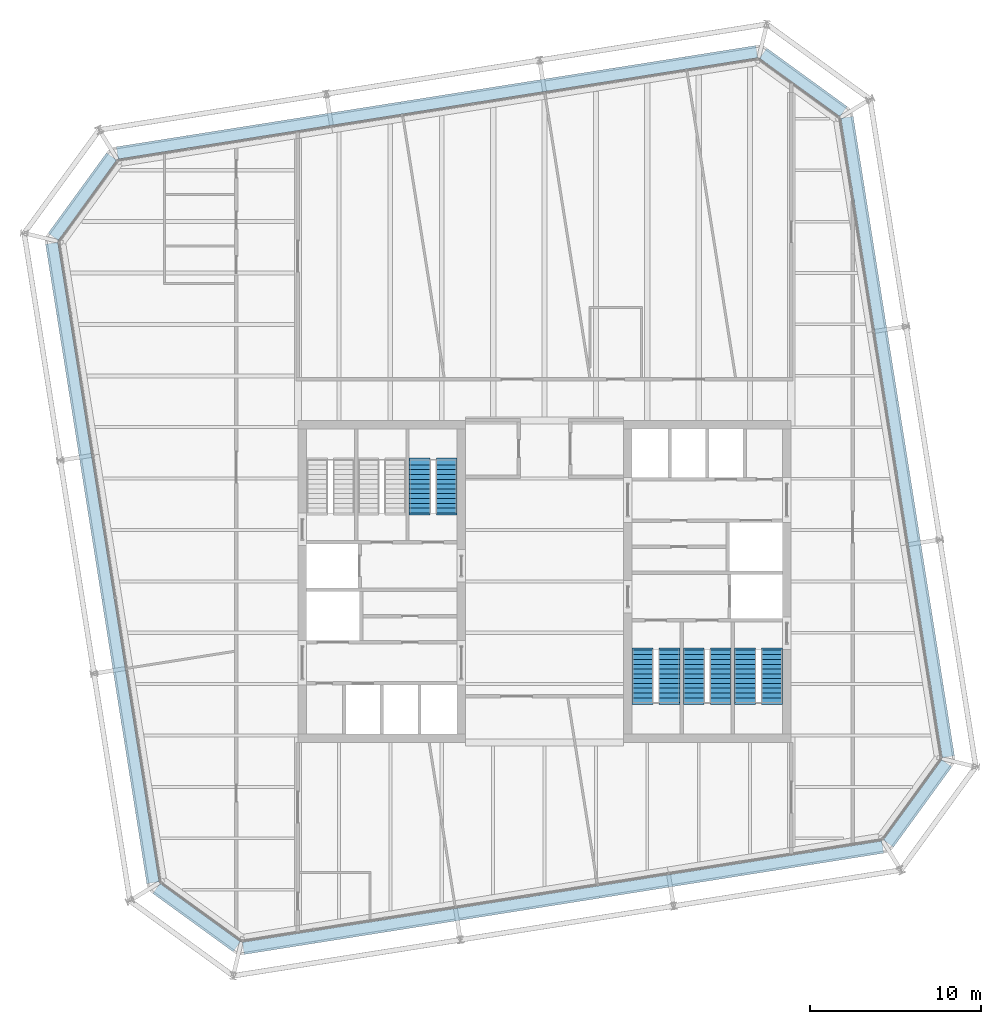
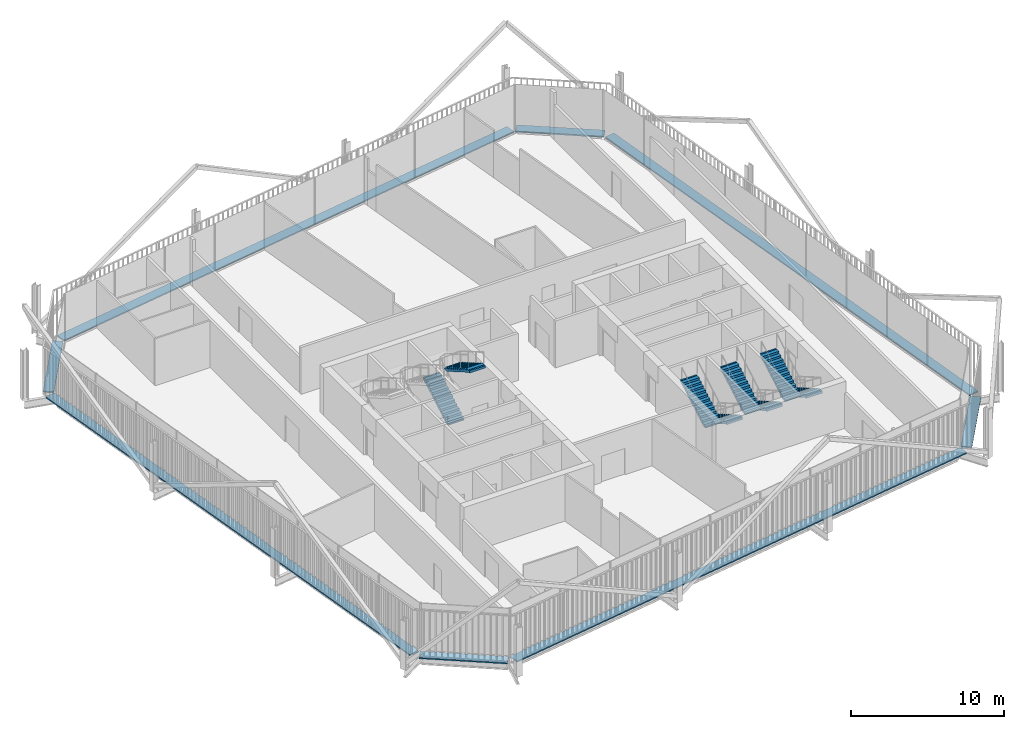
# One storey, part 20 of 21: 8 discrete accessories, 8 stair flights, 4 elements without a shape of their own.
"""IFC4 building model written with IfcOpenShell, lengths in metres."""

from ifc_helpers import new_model, si_unit, direction, frame, origin, origin_2d, place, context, subcontext, project, spatial, polyline, rectangle, outline, extrude, material, type_object, element, aggregate, save


model = new_model("IFC4")

# Units and contexts
model_context = context("Model", 3, precision=1e-05, world=origin(), true_north=direction((0.0, 1.0)))
body_context = subcontext(model_context, "Body", "Model", "MODEL_VIEW")
ifc_project = project(units=[si_unit("LENGTHUNIT", "METRE"), si_unit("AREAUNIT", "SQUARE_METRE"), si_unit("VOLUMEUNIT", "CUBIC_METRE"), si_unit("PLANEANGLEUNIT", "RADIAN"), si_unit("MASSUNIT", "GRAM", prefix="KILO")], contexts=[model_context])

# Site, building, storey
site_placement = place(None, origin())
site = spatial("IfcSite", under=ifc_project, at=site_placement, CompositionType="ELEMENT")
building_placement = place(site_placement, origin())
building = spatial("IfcBuilding", under=site, at=building_placement, Name="Millrace Tower", CompositionType="ELEMENT")
storey_placement = place(building_placement, frame((0.0, 0.0, 255.199951171875)))
storey = spatial("IfcBuildingStorey", under=building, at=storey_placement, Name="L58", CompositionType="ELEMENT", Elevation=255.199951171875)

# Stair, stair flights
ifc_material_1 = material(Name="Concrete C35", Category="concrete")
stair_type = type_object("IfcStairType", Name="Exit stair", PredefinedType="HALF_TURN_STAIR", material=ifc_material_1)
placement = place(storey_placement, origin())
stair_1 = element("IfcStair", 1, at=placement, inside=storey, type_object=stair_type, Name="Stair 3 W L58", PredefinedType="HALF_TURN_STAIR")
ifc_material_2 = material(Name="Concrete C35", Category="concrete")
stair_flight_type = type_object("IfcStairFlightType", Name="Exit stair flight", PredefinedType="STRAIGHT", material=ifc_material_2)
stair_flight_1_placement = place(storey_placement, frame((-7.2900390625, 4.0, 0.0), z_axis=(0.0, 0.0, 1.0), x_axis=(0.0, 1.0, 0.0)))
stair_flight_1 = element("IfcStairFlight", 2, at=stair_flight_1_placement, type_object=stair_flight_type, Name="ST12 flight 1", NumberOfRisers=12, NumberOfTreads=11, PredefinedType="STRAIGHT", RiserHeight=0.1625, TreadLength=0.28, context=body_context, shape_type="SweptSolid", body=[
    extrude(outline(polyline([(-0.1201171875, -0.0400390625), (-0.1201171875, 0.0), (0.0, 0.0), (0.0, 0.16259765625), (0.280029296875, 0.16259765625), (0.280029296875, 0.324951171875), (0.56005859375, 0.324951171875), (0.56005859375, 0.487548828125), (0.840087890625, 0.487548828125), (0.840087890625, 0.64990234375), (1.1201171875, 0.64990234375), (1.1201171875, 0.8125), (1.39990234375, 0.8125), (1.39990234375, 0.97509765625), (1.679931640625, 0.97509765625), (1.679931640625, 1.137451171875), (1.9599609375, 1.137451171875), (1.9599609375, 1.300048828125), (2.239990234375, 1.300048828125), (2.239990234375, 1.46240234375), (2.52001953125, 1.46240234375), (2.52001953125, 1.625), (2.800048828125, 1.625), (2.800048828125, 1.78759765625), (3.080078125, 1.78759765625), (3.080078125, 1.8076171875), (3.199951171875, 1.8076171875), (3.199951171875, 1.6142578125), (3.080078125, 1.6142578125), (0.298583984375, 0.0), (0.298583984375, -0.0400390625), (-0.1201171875, -0.0400390625)])), frame((0.0, 0.60986328125, 0.0), z_axis=(0.0, -1.0, 0.0), x_axis=(1.0, 0.0, 0.0)), (0.0, 0.0, 1.0), 1.219970703125),
])
stair_flight_2_placement = place(storey_placement, frame((-5.7099609375, 7.080078125, 1.949951171875), z_axis=(0.0, 0.0, 1.0), x_axis=(0.0, -1.0, 0.0)))
stair_flight_2 = element("IfcStairFlight", 3, at=stair_flight_2_placement, type_object=stair_flight_type, Name="ST12 flight 2", NumberOfRisers=12, NumberOfTreads=11, PredefinedType="STRAIGHT", RiserHeight=0.1625, TreadLength=0.28, context=body_context, shape_type="SweptSolid", body=[
    extrude(outline(polyline([(-0.1201171875, -0.0400390625), (-0.1201171875, 0.0), (0.0, 0.0), (0.0, 0.16259765625), (0.280029296875, 0.16259765625), (0.280029296875, 0.324951171875), (0.56005859375, 0.324951171875), (0.56005859375, 0.487548828125), (0.840087890625, 0.487548828125), (0.840087890625, 0.64990234375), (1.1201171875, 0.64990234375), (1.1201171875, 0.8125), (1.39990234375, 0.8125), (1.39990234375, 0.97509765625), (1.679931640625, 0.97509765625), (1.679931640625, 1.137451171875), (1.9599609375, 1.137451171875), (1.9599609375, 1.300048828125), (2.239990234375, 1.300048828125), (2.239990234375, 1.46240234375), (2.52001953125, 1.46240234375), (2.52001953125, 1.625), (2.800048828125, 1.625), (2.800048828125, 1.78759765625), (3.080078125, 1.78759765625), (3.080078125, 1.8076171875), (3.199951171875, 1.8076171875), (3.199951171875, 1.6142578125), (3.080078125, 1.6142578125), (0.298583984375, 0.0), (0.298583984375, -0.0400390625), (-0.1201171875, -0.0400390625)])), frame((0.0, 0.60986328125, 0.0), z_axis=(0.0, -1.0, 0.0), x_axis=(1.0, 0.0, 0.0)), (0.0, 0.0, 1.0), 1.219970703125),
])
aggregate(stair_1, [stair_flight_1, stair_flight_2])

stair_2 = element("IfcStair", 4, at=placement, inside=storey, type_object=stair_type, Name="Stair 1 E L58", PredefinedType="HALF_TURN_STAIR")
stair_flight_3_placement = place(storey_placement, frame((13.2900390625, -4.0, 0.0), z_axis=(0.0, 0.0, 1.0), x_axis=(0.0, -1.0, 0.0)))
stair_flight_3 = element("IfcStairFlight", 5, at=stair_flight_3_placement, type_object=stair_flight_type, Name="ST12 flight 1", NumberOfRisers=12, NumberOfTreads=11, PredefinedType="STRAIGHT", RiserHeight=0.1625, TreadLength=0.28, context=body_context, shape_type="SweptSolid", body=[
    extrude(outline(polyline([(-0.1201171875, -0.0400390625), (-0.1201171875, 0.0), (0.0, 0.0), (0.0, 0.16259765625), (0.280029296875, 0.16259765625), (0.280029296875, 0.324951171875), (0.56005859375, 0.324951171875), (0.56005859375, 0.487548828125), (0.840087890625, 0.487548828125), (0.840087890625, 0.64990234375), (1.1201171875, 0.64990234375), (1.1201171875, 0.8125), (1.39990234375, 0.8125), (1.39990234375, 0.97509765625), (1.679931640625, 0.97509765625), (1.679931640625, 1.137451171875), (1.9599609375, 1.137451171875), (1.9599609375, 1.300048828125), (2.239990234375, 1.300048828125), (2.239990234375, 1.46240234375), (2.52001953125, 1.46240234375), (2.52001953125, 1.625), (2.800048828125, 1.625), (2.800048828125, 1.78759765625), (3.080078125, 1.78759765625), (3.080078125, 1.8076171875), (3.199951171875, 1.8076171875), (3.199951171875, 1.6142578125), (3.080078125, 1.6142578125), (0.298583984375, 0.0), (0.298583984375, -0.0400390625), (-0.1201171875, -0.0400390625)])), frame((0.0, 0.60986328125, 0.0), z_axis=(0.0, -1.0, 0.0), x_axis=(1.0, 0.0, 0.0)), (0.0, 0.0, 1.0), 1.219970703125),
])
stair_flight_4_placement = place(storey_placement, frame((11.7099609375, -7.080078125, 1.949951171875), z_axis=(0.0, 0.0, 1.0), x_axis=(0.0, 1.0, 0.0)))
stair_flight_4 = element("IfcStairFlight", 6, at=stair_flight_4_placement, type_object=stair_flight_type, Name="ST12 flight 2", NumberOfRisers=12, NumberOfTreads=11, PredefinedType="STRAIGHT", RiserHeight=0.1625, TreadLength=0.28, context=body_context, shape_type="SweptSolid", body=[
    extrude(outline(polyline([(-0.1201171875, -0.0400390625), (-0.1201171875, 0.0), (0.0, 0.0), (0.0, 0.16259765625), (0.280029296875, 0.16259765625), (0.280029296875, 0.324951171875), (0.56005859375, 0.324951171875), (0.56005859375, 0.487548828125), (0.840087890625, 0.487548828125), (0.840087890625, 0.64990234375), (1.1201171875, 0.64990234375), (1.1201171875, 0.8125), (1.39990234375, 0.8125), (1.39990234375, 0.97509765625), (1.679931640625, 0.97509765625), (1.679931640625, 1.137451171875), (1.9599609375, 1.137451171875), (1.9599609375, 1.300048828125), (2.239990234375, 1.300048828125), (2.239990234375, 1.46240234375), (2.52001953125, 1.46240234375), (2.52001953125, 1.625), (2.800048828125, 1.625), (2.800048828125, 1.78759765625), (3.080078125, 1.78759765625), (3.080078125, 1.8076171875), (3.199951171875, 1.8076171875), (3.199951171875, 1.6142578125), (3.080078125, 1.6142578125), (0.298583984375, 0.0), (0.298583984375, -0.0400390625), (-0.1201171875, -0.0400390625)])), frame((0.0, 0.60986328125, 0.0), z_axis=(0.0, -1.0, 0.0), x_axis=(1.0, 0.0, 0.0)), (0.0, 0.0, 1.0), 1.219970703125),
])
aggregate(stair_2, [stair_flight_3, stair_flight_4])

stair_3 = element("IfcStair", 7, at=placement, inside=storey, type_object=stair_type, Name="Stair 2 E L58", PredefinedType="HALF_TURN_STAIR")
stair_flight_5_placement = place(storey_placement, frame((10.2900390625, -4.0, 0.0), z_axis=(0.0, 0.0, 1.0), x_axis=(0.0, -1.0, 0.0)))
stair_flight_5 = element("IfcStairFlight", 8, at=stair_flight_5_placement, type_object=stair_flight_type, Name="ST12 flight 1", NumberOfRisers=12, NumberOfTreads=11, PredefinedType="STRAIGHT", RiserHeight=0.1625, TreadLength=0.28, context=body_context, shape_type="SweptSolid", body=[
    extrude(outline(polyline([(-0.1201171875, -0.0400390625), (-0.1201171875, 0.0), (0.0, 0.0), (0.0, 0.16259765625), (0.280029296875, 0.16259765625), (0.280029296875, 0.324951171875), (0.56005859375, 0.324951171875), (0.56005859375, 0.487548828125), (0.840087890625, 0.487548828125), (0.840087890625, 0.64990234375), (1.1201171875, 0.64990234375), (1.1201171875, 0.8125), (1.39990234375, 0.8125), (1.39990234375, 0.97509765625), (1.679931640625, 0.97509765625), (1.679931640625, 1.137451171875), (1.9599609375, 1.137451171875), (1.9599609375, 1.300048828125), (2.239990234375, 1.300048828125), (2.239990234375, 1.46240234375), (2.52001953125, 1.46240234375), (2.52001953125, 1.625), (2.800048828125, 1.625), (2.800048828125, 1.78759765625), (3.080078125, 1.78759765625), (3.080078125, 1.8076171875), (3.199951171875, 1.8076171875), (3.199951171875, 1.6142578125), (3.080078125, 1.6142578125), (0.298583984375, 0.0), (0.298583984375, -0.0400390625), (-0.1201171875, -0.0400390625)])), frame((0.0, 0.60986328125, 0.0), z_axis=(0.0, -1.0, 0.0), x_axis=(1.0, 0.0, 0.0)), (0.0, 0.0, 1.0), 1.219970703125),
])
stair_flight_6_placement = place(storey_placement, frame((8.7099609375, -7.080078125, 1.949951171875), z_axis=(0.0, 0.0, 1.0), x_axis=(0.0, 1.0, 0.0)))
stair_flight_6 = element("IfcStairFlight", 9, at=stair_flight_6_placement, type_object=stair_flight_type, Name="ST12 flight 2", NumberOfRisers=12, NumberOfTreads=11, PredefinedType="STRAIGHT", RiserHeight=0.1625, TreadLength=0.28, context=body_context, shape_type="SweptSolid", body=[
    extrude(outline(polyline([(-0.1201171875, -0.0400390625), (-0.1201171875, 0.0), (0.0, 0.0), (0.0, 0.16259765625), (0.280029296875, 0.16259765625), (0.280029296875, 0.324951171875), (0.56005859375, 0.324951171875), (0.56005859375, 0.487548828125), (0.840087890625, 0.487548828125), (0.840087890625, 0.64990234375), (1.1201171875, 0.64990234375), (1.1201171875, 0.8125), (1.39990234375, 0.8125), (1.39990234375, 0.97509765625), (1.679931640625, 0.97509765625), (1.679931640625, 1.137451171875), (1.9599609375, 1.137451171875), (1.9599609375, 1.300048828125), (2.239990234375, 1.300048828125), (2.239990234375, 1.46240234375), (2.52001953125, 1.46240234375), (2.52001953125, 1.625), (2.800048828125, 1.625), (2.800048828125, 1.78759765625), (3.080078125, 1.78759765625), (3.080078125, 1.8076171875), (3.199951171875, 1.8076171875), (3.199951171875, 1.6142578125), (3.080078125, 1.6142578125), (0.298583984375, 0.0), (0.298583984375, -0.0400390625), (-0.1201171875, -0.0400390625)])), frame((0.0, 0.60986328125, 0.0), z_axis=(0.0, -1.0, 0.0), x_axis=(1.0, 0.0, 0.0)), (0.0, 0.0, 1.0), 1.219970703125),
])
aggregate(stair_3, [stair_flight_5, stair_flight_6])

stair_4 = element("IfcStair", 10, at=placement, inside=storey, type_object=stair_type, Name="Stair 3 E L58", PredefinedType="HALF_TURN_STAIR")
stair_flight_7_placement = place(storey_placement, frame((7.2900390625, -4.0, 0.0), z_axis=(0.0, 0.0, 1.0), x_axis=(0.0, -1.0, 0.0)))
stair_flight_7 = element("IfcStairFlight", 11, at=stair_flight_7_placement, type_object=stair_flight_type, Name="ST12 flight 1", NumberOfRisers=12, NumberOfTreads=11, PredefinedType="STRAIGHT", RiserHeight=0.1625, TreadLength=0.28, context=body_context, shape_type="SweptSolid", body=[
    extrude(outline(polyline([(-0.1201171875, -0.0400390625), (-0.1201171875, 0.0), (0.0, 0.0), (0.0, 0.16259765625), (0.280029296875, 0.16259765625), (0.280029296875, 0.324951171875), (0.56005859375, 0.324951171875), (0.56005859375, 0.487548828125), (0.840087890625, 0.487548828125), (0.840087890625, 0.64990234375), (1.1201171875, 0.64990234375), (1.1201171875, 0.8125), (1.39990234375, 0.8125), (1.39990234375, 0.97509765625), (1.679931640625, 0.97509765625), (1.679931640625, 1.137451171875), (1.9599609375, 1.137451171875), (1.9599609375, 1.300048828125), (2.239990234375, 1.300048828125), (2.239990234375, 1.46240234375), (2.52001953125, 1.46240234375), (2.52001953125, 1.625), (2.800048828125, 1.625), (2.800048828125, 1.78759765625), (3.080078125, 1.78759765625), (3.080078125, 1.8076171875), (3.199951171875, 1.8076171875), (3.199951171875, 1.6142578125), (3.080078125, 1.6142578125), (0.298583984375, 0.0), (0.298583984375, -0.0400390625), (-0.1201171875, -0.0400390625)])), frame((0.0, 0.60986328125, 0.0), z_axis=(0.0, -1.0, 0.0), x_axis=(1.0, 0.0, 0.0)), (0.0, 0.0, 1.0), 1.219970703125),
])
stair_flight_8_placement = place(storey_placement, frame((5.7099609375, -7.080078125, 1.949951171875), z_axis=(0.0, 0.0, 1.0), x_axis=(0.0, 1.0, 0.0)))
stair_flight_8 = element("IfcStairFlight", 12, at=stair_flight_8_placement, type_object=stair_flight_type, Name="ST12 flight 2", NumberOfRisers=12, NumberOfTreads=11, PredefinedType="STRAIGHT", RiserHeight=0.1625, TreadLength=0.28, context=body_context, shape_type="SweptSolid", body=[
    extrude(outline(polyline([(-0.1201171875, -0.0400390625), (-0.1201171875, 0.0), (0.0, 0.0), (0.0, 0.16259765625), (0.280029296875, 0.16259765625), (0.280029296875, 0.324951171875), (0.56005859375, 0.324951171875), (0.56005859375, 0.487548828125), (0.840087890625, 0.487548828125), (0.840087890625, 0.64990234375), (1.1201171875, 0.64990234375), (1.1201171875, 0.8125), (1.39990234375, 0.8125), (1.39990234375, 0.97509765625), (1.679931640625, 0.97509765625), (1.679931640625, 1.137451171875), (1.9599609375, 1.137451171875), (1.9599609375, 1.300048828125), (2.239990234375, 1.300048828125), (2.239990234375, 1.46240234375), (2.52001953125, 1.46240234375), (2.52001953125, 1.625), (2.800048828125, 1.625), (2.800048828125, 1.78759765625), (3.080078125, 1.78759765625), (3.080078125, 1.8076171875), (3.199951171875, 1.8076171875), (3.199951171875, 1.6142578125), (3.080078125, 1.6142578125), (0.298583984375, 0.0), (0.298583984375, -0.0400390625), (-0.1201171875, -0.0400390625)])), frame((0.0, 0.60986328125, 0.0), z_axis=(0.0, -1.0, 0.0), x_axis=(1.0, 0.0, 0.0)), (0.0, 0.0, 1.0), 1.219970703125),
])
aggregate(stair_4, [stair_flight_7, stair_flight_8])

# Discrete accessories
ifc_material_3 = material(Name="Stainless steel ASTM A240 type 316", Category="steel")
discrete_accessory_type = type_object("IfcDiscreteAccessoryType", Name="Thermally broken screen support rail", PredefinedType="BRACKET", material=ifc_material_3)
discrete_accessory_1_placement = place(storey_placement, frame((-20.314453125, -19.632080078125, 0.0), z_axis=(0.0, 0.0, 1.0), x_axis=(0.809016955361, -0.587785305991, 0.0)))
element("IfcDiscreteAccessory", 13, at=discrete_accessory_1_placement, inside=storey, type_object=discrete_accessory_type, Name="Thermally broken screen support rail D-F01 L58 1", PredefinedType="BRACKET", context=body_context, shape_type="SweptSolid", body=[
    extrude(rectangle(XDim=5.79833984375, YDim=0.719970703125, at=origin_2d()), origin(), (0.0, 0.0, 1.0), 0.10009765625),
])
discrete_accessory_2_placement = place(storey_placement, frame((1.077880859375, -18.470458984375, 0.0), z_axis=(0.0, 0.0, 1.0), x_axis=(0.987688339511, 0.156434471884, 0.0)))
element("IfcDiscreteAccessory", 14, at=discrete_accessory_2_placement, inside=storey, type_object=discrete_accessory_type, Name="Thermally broken screen support rail D-F02 L58 1", PredefinedType="BRACKET", context=body_context, shape_type="SweptSolid", body=[
    extrude(rectangle(XDim=37.800048828125, YDim=0.719970703125, at=origin_2d()), origin(), (0.0, 0.0, 1.0), 0.10009765625),
])
discrete_accessory_3_placement = place(storey_placement, frame((21.781982421875, -12.964599609375, 0.0), z_axis=(0.0, 0.0, 1.0), x_axis=(0.587785305991, 0.809016955361, 0.0)))
element("IfcDiscreteAccessory", 15, at=discrete_accessory_3_placement, inside=storey, type_object=discrete_accessory_type, Name="Thermally broken screen support rail D-F03 L58 1", PredefinedType="BRACKET", context=body_context, shape_type="SweptSolid", body=[
    extrude(rectangle(XDim=5.79833984375, YDim=0.719970703125, at=origin_2d()), origin(), (0.0, 0.0, 1.0), 0.10009765625),
])
discrete_accessory_4_placement = place(storey_placement, frame((20.62060546875, 8.427734375, 0.0), z_axis=(0.0, 0.0, 1.0), x_axis=(-0.156434471884, 0.987688339511, 0.0)))
element("IfcDiscreteAccessory", 16, at=discrete_accessory_4_placement, inside=storey, type_object=discrete_accessory_type, Name="Thermally broken screen support rail D-F04 L58 1", PredefinedType="BRACKET", context=body_context, shape_type="SweptSolid", body=[
    extrude(rectangle(XDim=37.800048828125, YDim=0.719970703125, at=origin_2d()), origin(), (0.0, 0.0, 1.0), 0.10009765625),
])
discrete_accessory_5_placement = place(storey_placement, frame((15.114501953125, 29.132080078125, 0.0), z_axis=(0.0, 0.0, 1.0), x_axis=(-0.809016955361, 0.587785305991, 0.0)))
element("IfcDiscreteAccessory", 17, at=discrete_accessory_5_placement, inside=storey, type_object=discrete_accessory_type, Name="Thermally broken screen support rail D-F05 L58 1", PredefinedType="BRACKET", context=body_context, shape_type="SweptSolid", body=[
    extrude(rectangle(XDim=5.79833984375, YDim=0.719970703125, at=origin_2d()), origin(), (0.0, 0.0, 1.0), 0.10009765625),
])
discrete_accessory_6_placement = place(storey_placement, frame((-6.27783203125, 27.970458984375, 0.0), z_axis=(0.0, 0.0, 1.0), x_axis=(-0.987688339511, -0.156434471884, 0.0)))
element("IfcDiscreteAccessory", 18, at=discrete_accessory_6_placement, inside=storey, type_object=discrete_accessory_type, Name="Thermally broken screen support rail D-F06 L58 1", PredefinedType="BRACKET", context=body_context, shape_type="SweptSolid", body=[
    extrude(rectangle(XDim=37.800048828125, YDim=0.719970703125, at=origin_2d()), origin(), (0.0, 0.0, 1.0), 0.10009765625),
])
discrete_accessory_7_placement = place(storey_placement, frame((-26.98193359375, 22.464599609375, 0.0), z_axis=(0.0, 0.0, 1.0), x_axis=(-0.587785305991, -0.809016955361, 0.0)))
element("IfcDiscreteAccessory", 19, at=discrete_accessory_7_placement, inside=storey, type_object=discrete_accessory_type, Name="Thermally broken screen support rail D-F07 L58 1", PredefinedType="BRACKET", context=body_context, shape_type="SweptSolid", body=[
    extrude(rectangle(XDim=5.79833984375, YDim=0.719970703125, at=origin_2d()), origin(), (0.0, 0.0, 1.0), 0.10009765625),
])
discrete_accessory_8_placement = place(storey_placement, frame((-25.820556640625, 1.072265625, 0.0), z_axis=(0.0, 0.0, 1.0), x_axis=(0.156434471884, -0.987688339511, 0.0)))
element("IfcDiscreteAccessory", 20, at=discrete_accessory_8_placement, inside=storey, type_object=discrete_accessory_type, Name="Thermally broken screen support rail D-F08 L58 1", PredefinedType="BRACKET", context=body_context, shape_type="SweptSolid", body=[
    extrude(rectangle(XDim=37.800048828125, YDim=0.719970703125, at=origin_2d()), origin(), (0.0, 0.0, 1.0), 0.10009765625),
])

save(model, "model.ifc")
